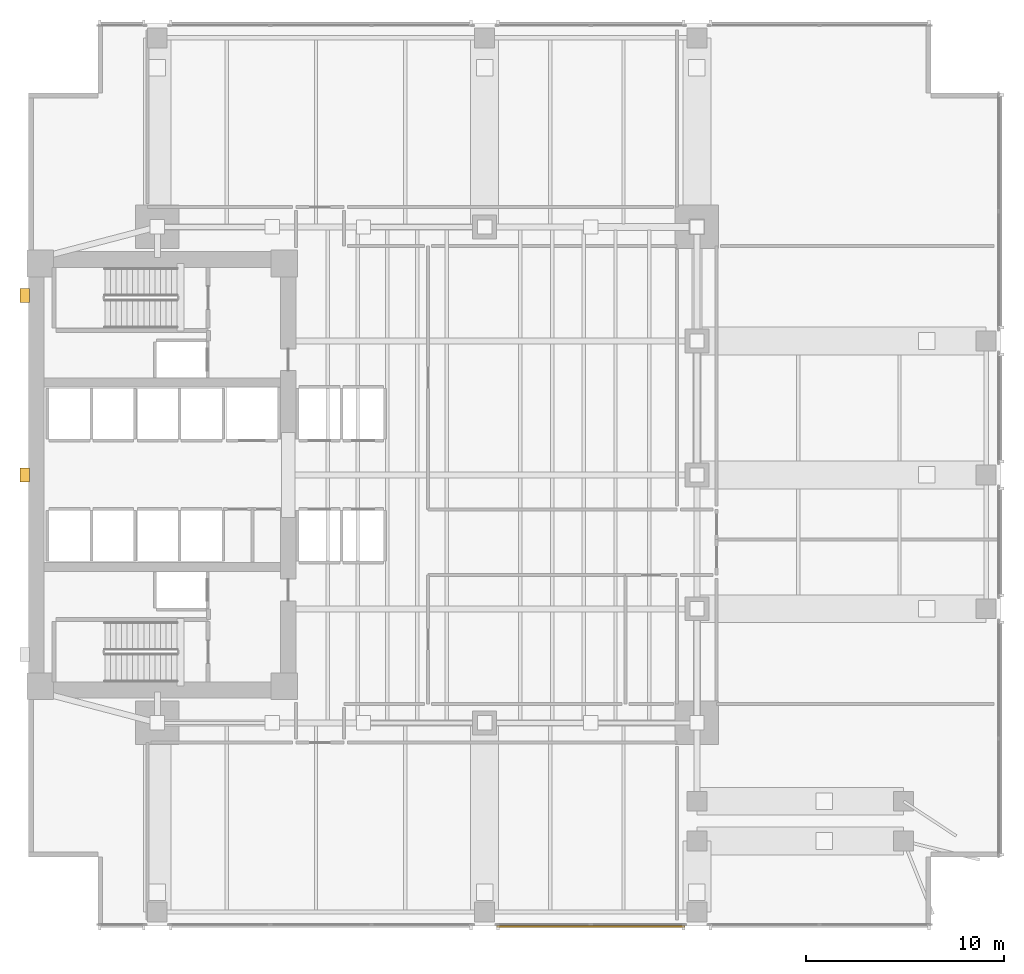
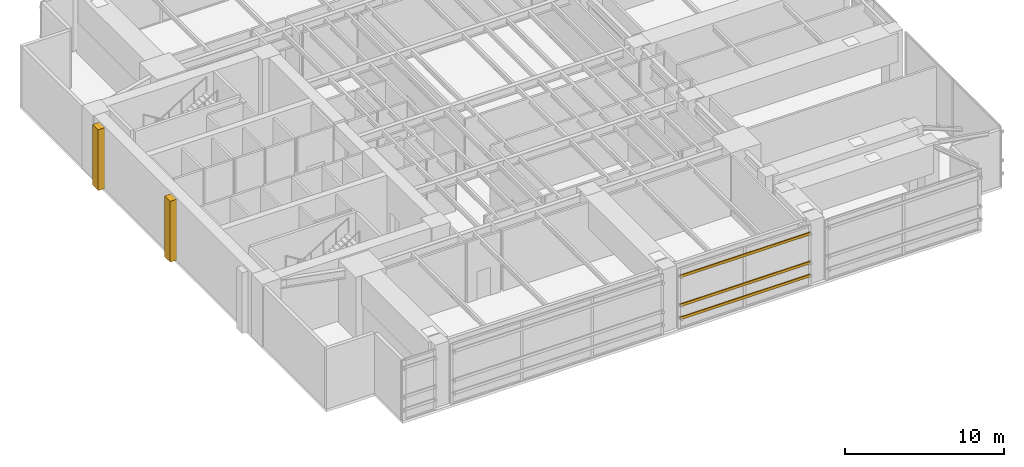
# One storey, part 12 of 14: 3 shading devices, 2 coverings.
"""IFC4 building model written with IfcOpenShell, lengths in metres."""

from ifc_helpers import new_model, si_unit, direction, frame, origin, origin_2d, place, context, subcontext, project, spatial, polyline, rectangle, outline, extrude, material, layer, layer_set, material_profile, profile_set, type_object, element, save


model = new_model("IFC4")

# Units and contexts
model_context = context("Model", 3, precision=1e-05, world=origin(), true_north=direction((0.0, 1.0)))
body_context = subcontext(model_context, "Body", "Model", "MODEL_VIEW")
ifc_project = project(units=[si_unit("LENGTHUNIT", "METRE"), si_unit("AREAUNIT", "SQUARE_METRE"), si_unit("VOLUMEUNIT", "CUBIC_METRE"), si_unit("PLANEANGLEUNIT", "RADIAN"), si_unit("MASSUNIT", "GRAM", prefix="KILO")], contexts=[model_context])

# Site, building, storey
site_placement = place(None, origin())
site = spatial("IfcSite", under=ifc_project, at=site_placement, CompositionType="ELEMENT")
building_placement = place(site_placement, origin())
building = spatial("IfcBuilding", under=site, at=building_placement, Name="Kinhvarn Gate Tower", CompositionType="ELEMENT")
storey_placement = place(building_placement, frame((0.0, 0.0, 93.050048828125)))
storey = spatial("IfcBuildingStorey", under=building, at=storey_placement, Name="L24", CompositionType="ELEMENT", Elevation=93.050048828125)

# Coverings
ifc_material_1 = material(Name="Precast white architectural concrete C40/50", Category="concrete")
ifc_layer = layer(ifc_material_1, 0.47998046875)
ifc_layer_set = layer_set([ifc_layer], Name="Precast white architectural concrete C40/50")
covering_type = type_object("IfcCoveringType", Name="COV-RIB-450", PredefinedType="CLADDING", material=ifc_layer_set)
covering_1_placement = place(storey_placement, frame((0.0, 0.0, -0.02001953125)))
element("IfcCovering", 1, at=covering_1_placement, inside=storey, type_object=covering_type, Name="West Core Sculptural Concrete Relief Rib CRB-450 (L24)", PredefinedType="CLADDING", context=body_context, shape_type="SweptSolid", body=[
    extrude(outline(polyline([(4.080078125, 24.89990234375), (4.56005859375, 24.89990234375), (4.56005859375, 25.60009765625), (4.080078125, 25.60009765625), (4.080078125, 24.89990234375)])), origin(), (0.0, 0.0, 1.0), 4.659912109375),
])
covering_2_placement = place(storey_placement, frame((0.0, 0.0, -0.02001953125)))
element("IfcCovering", 2, at=covering_2_placement, inside=storey, type_object=covering_type, Name="West Core Sculptural Concrete Relief Rib CRB-450 (L24)", PredefinedType="CLADDING", context=body_context, shape_type="SweptSolid", body=[
    extrude(outline(polyline([(4.080078125, 33.949951171875), (4.56005859375, 33.949951171875), (4.56005859375, 34.64990234375), (4.080078125, 34.64990234375), (4.080078125, 33.949951171875)])), origin(), (0.0, 0.0, 1.0), 4.659912109375),
])

# Shading devices
ifc_material_2 = material(Name="Anodised aluminium AW-6063", Category="aluminium")
ifc_material_profile = material_profile(ifc_material_2, rectangle(XDim=0.074951171875, YDim=0.199951171875, at=origin_2d()), Name="LOUVRE 75x200")
ifc_profile_set = profile_set([ifc_material_profile], Name="Anodised aluminium AW-6063")
shading_device_type = type_object("IfcShadingDeviceType", Name="SHD-LVR-200", PredefinedType="JALOUSIE", material=ifc_profile_set)
for number, where, z_axis, x_axis, name in (
    (3, (28.1201171875, 2.4775390625, 0.849853515625), (1.0, 0.0, 0.0), (0.0, 1.0, 0.0), "Anodised Aluminium Acoustic Plant Louvre Blade 75x200 mm (L24)"),
    (4, (28.1201171875, 2.4775390625, 1.849853515625), (1.0, 0.0, 0.0), (0.0, 1.0, 0.0), "Anodised Aluminium Acoustic Plant Louvre Blade 75x200 mm (L24)"),
    (5, (28.1201171875, 2.4775390625, 4.070068359375), (1.0, 0.0, 0.0), (0.0, 1.0, 0.0), "Anodised Aluminium Acoustic Plant Louvre Blade 75x200 mm (L24)"),
):
    element("IfcShadingDevice", number, at=place(storey_placement, frame(where, z_axis=z_axis, x_axis=x_axis)), inside=storey, type_object=shading_device_type, Name=name, PredefinedType="JALOUSIE", context=body_context, shape_type="SweptSolid", body=[
        extrude(rectangle(XDim=0.074951171875, YDim=0.199951171875, at=origin_2d()), origin(), (0.0, 0.0, 1.0), 9.4599609375),
    ])

save(model, "model.ifc")
